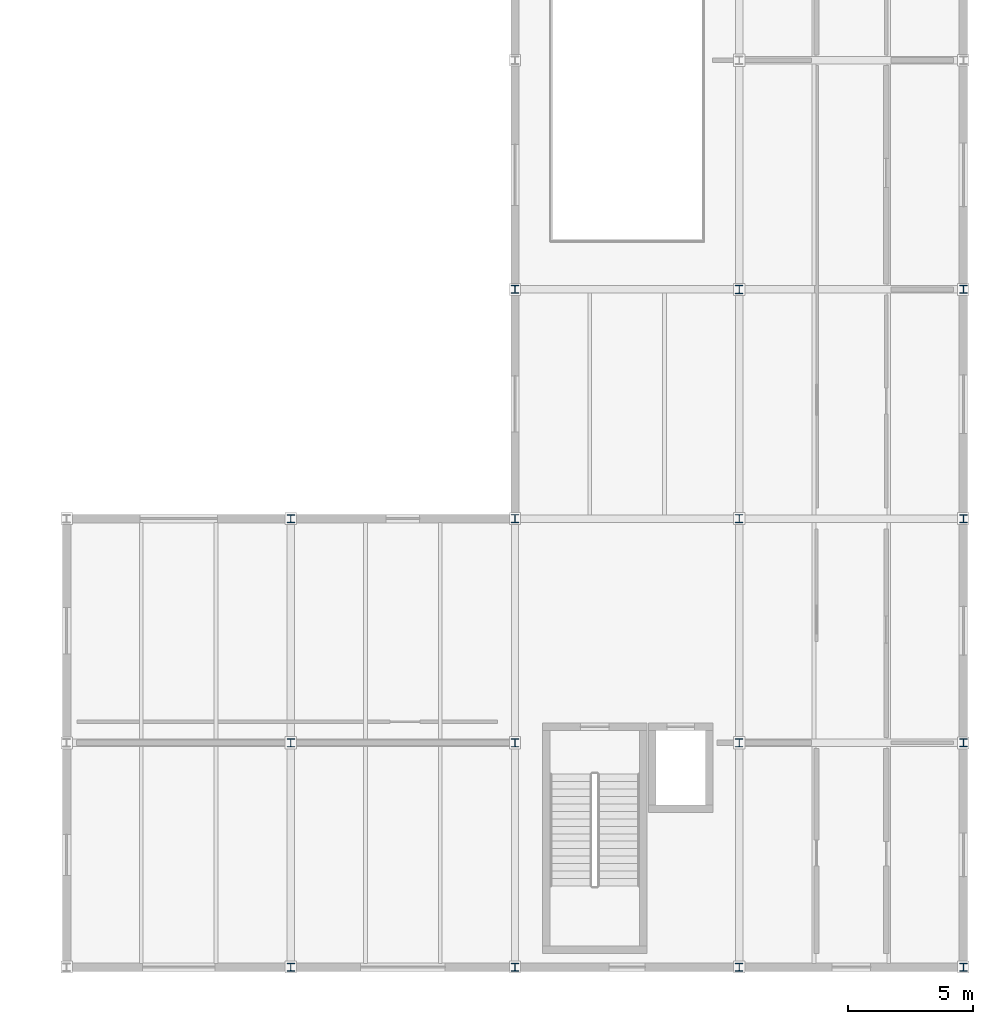
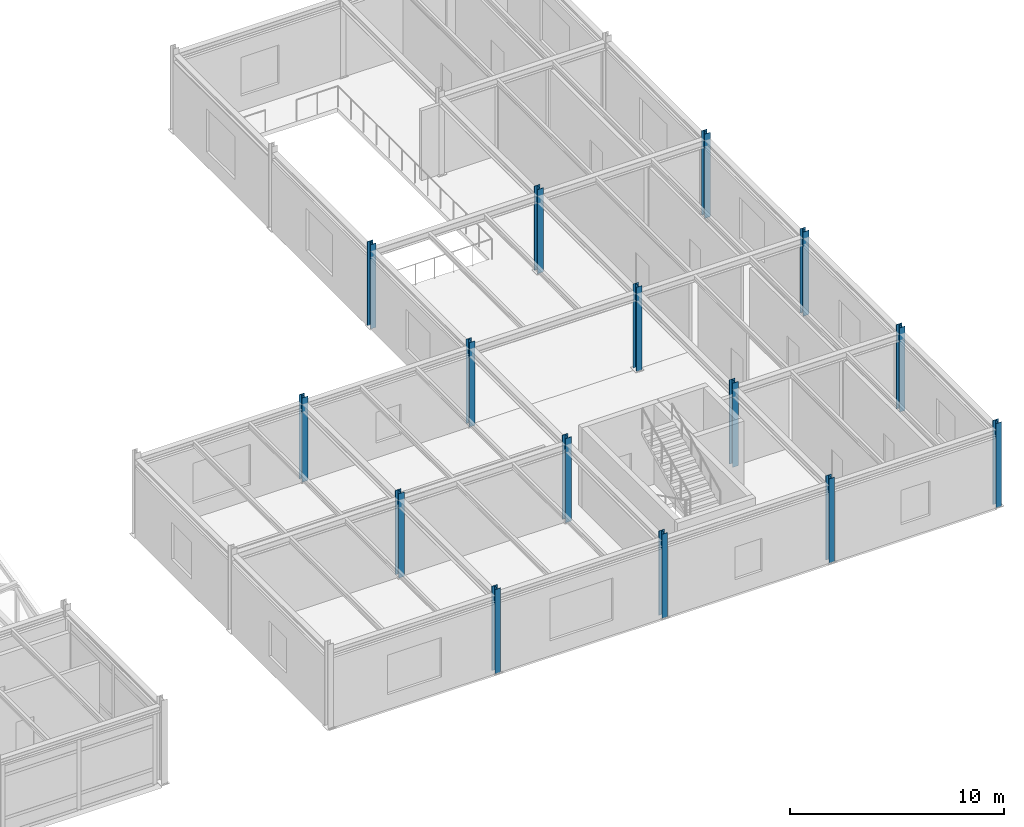
# One storey, part 10 of 90: 15 columns.
"""IFC4 building model written with IfcOpenShell, lengths in metres."""

from ifc_helpers import new_model, si_unit, direction, frame, origin, origin_2d, place, context, subcontext, project, spatial, i_section, extrude, material, material_profile, profile_set, type_object, element, save


model = new_model("IFC4")

# Units and contexts
model_context = context("Model", 3, precision=1e-05, world=origin(), true_north=direction((0.0, 1.0)))
body_context = subcontext(model_context, "Body", "Model", "MODEL_VIEW")
ifc_project = project(units=[si_unit("LENGTHUNIT", "METRE"), si_unit("AREAUNIT", "SQUARE_METRE"), si_unit("VOLUMEUNIT", "CUBIC_METRE"), si_unit("PLANEANGLEUNIT", "RADIAN"), si_unit("MASSUNIT", "GRAM", prefix="KILO")], contexts=[model_context])

# Site, building, storey
site_placement = place(None, origin())
site = spatial("IfcSite", under=ifc_project, at=site_placement, CompositionType="ELEMENT")
building_placement = place(site_placement, origin())
building = spatial("IfcBuilding", under=site, at=building_placement, Name="Bozkorgan Art Gallery", CompositionType="ELEMENT")
storey_placement = place(building_placement, frame((0.0, 0.0, 5.39990234375)))
storey = spatial("IfcBuildingStorey", under=building, at=storey_placement, Name="L01", CompositionType="ELEMENT", Elevation=5.39990234375)

# Columns
ifc_material = material(Name="Steel S355J2", Category="steel")
ifc_material_profile_1 = material_profile(ifc_material, i_section(OverallWidth=0.300048828125, OverallDepth=0.330078125, WebThickness=0.009521484375, FlangeThickness=0.0166015625, FilletRadius=0.027099609375, at=origin_2d()), Name="HEA 340")
ifc_profile_set_1 = profile_set([ifc_material_profile_1], Name="Steel S355J2")
column_type_1 = type_object("IfcColumnType", Name="COLUMN-C-82", PredefinedType="COLUMN", material=ifc_profile_set_1)
for number, where, z_axis, x_axis, name in (
    (1, (137.0, 11.0, 0.0), (0.0, 0.0, 1.0), (1.0, 0.0, 0.0), "V6 L01 column (137.0, 11.0)"),
    (2, (146.0, 11.0, 0.0), (0.0, 0.0, 1.0), (1.0, 0.0, 0.0), "V6 L01 column (146.0, 11.0)"),
    (3, (146.0, 20.0, 0.0), (0.0, 0.0, 1.0), (1.0, 0.0, 0.0), "V6 L01 column (146.0, 20.0)"),
    (4, (155.0, 11.0, 0.0), (0.0, 0.0, 1.0), (1.0, 0.0, 0.0), "V6 L01 column (155.0, 11.0)"),
    (5, (155.0, 20.0, 0.0), (0.0, 0.0, 1.0), (1.0, 0.0, 0.0), "V6 L01 column (155.0, 20.0)"),
    (6, (155.0, 29.199951171875, 0.0), (0.0, 0.0, 1.0), (1.0, 0.0, 0.0), "V6 L01 column (155.0, 29.2)"),
):
    element("IfcColumn", number, at=place(storey_placement, frame(where, z_axis=z_axis, x_axis=x_axis)), inside=storey, type_object=column_type_1, Name=name, PredefinedType="COLUMN", context=body_context, shape_type="SweptSolid", body=[
        extrude(i_section(OverallWidth=0.300048828125, OverallDepth=0.330078125, WebThickness=0.009521484375, FlangeThickness=0.0166015625, FilletRadius=0.027099609375, at=origin_2d()), origin(), (0.0, 0.0, 1.0), 4.800048828125),
    ])
ifc_material_profile_2 = material_profile(ifc_material, i_section(OverallWidth=0.300048828125, OverallDepth=0.320068359375, WebThickness=0.011474609375, FlangeThickness=0.0205078125, FilletRadius=0.027099609375, at=origin_2d()), Name="HEB 320")
ifc_profile_set_2 = profile_set([ifc_material_profile_2], Name="Steel S355J2")
column_type_2 = type_object("IfcColumnType", Name="COLUMN-C-96", PredefinedType="COLUMN", material=ifc_profile_set_2)
for number, where, z_axis, x_axis, name in (
    (7, (137.0, 2.0, 0.0), (0.0, 0.0, 1.0), (1.0, 0.0, 0.0), "V6 L01 column (137.0, 2.0)"),
    (8, (137.0, 20.0, 0.0), (0.0, 0.0, 1.0), (1.0, 0.0, 0.0), "V6 L01 column (137.0, 20.0)"),
    (9, (146.0, 2.0, 0.0), (0.0, 0.0, 1.0), (1.0, 0.0, 0.0), "V6 L01 column (146.0, 2.0)"),
    (10, (146.0, 29.199951171875, 0.0), (0.0, 0.0, 1.0), (1.0, 0.0, 0.0), "V6 L01 column (146.0, 29.2)"),
    (11, (155.0, 2.0, 0.0), (0.0, 0.0, 1.0), (1.0, 0.0, 0.0), "V6 L01 column (155.0, 2.0)"),
    (12, (164.0, 2.0, 0.0), (0.0, 0.0, 1.0), (1.0, 0.0, 0.0), "V6 L01 column (164.0, 2.0)"),
    (13, (164.0, 11.0, 0.0), (0.0, 0.0, 1.0), (1.0, 0.0, 0.0), "V6 L01 column (164.0, 11.0)"),
    (14, (164.0, 20.0, 0.0), (0.0, 0.0, 1.0), (1.0, 0.0, 0.0), "V6 L01 column (164.0, 20.0)"),
    (15, (164.0, 29.199951171875, 0.0), (0.0, 0.0, 1.0), (1.0, 0.0, 0.0), "V6 L01 column (164.0, 29.2)"),
):
    element("IfcColumn", number, at=place(storey_placement, frame(where, z_axis=z_axis, x_axis=x_axis)), inside=storey, type_object=column_type_2, Name=name, PredefinedType="COLUMN", context=body_context, shape_type="SweptSolid", body=[
        extrude(i_section(OverallWidth=0.300048828125, OverallDepth=0.320068359375, WebThickness=0.011474609375, FlangeThickness=0.0205078125, FilletRadius=0.027099609375, at=origin_2d()), origin(), (0.0, 0.0, 1.0), 4.800048828125),
    ])

save(model, "model.ifc")
